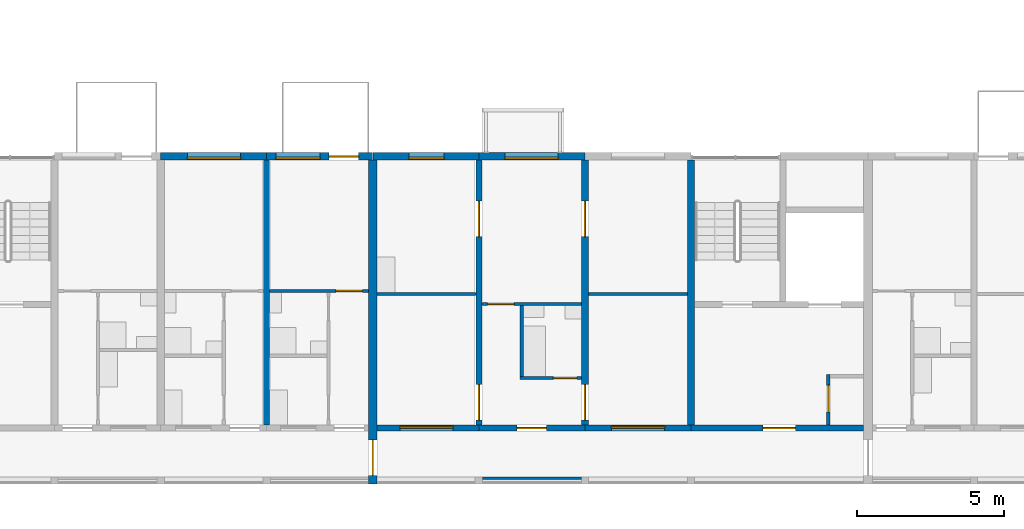
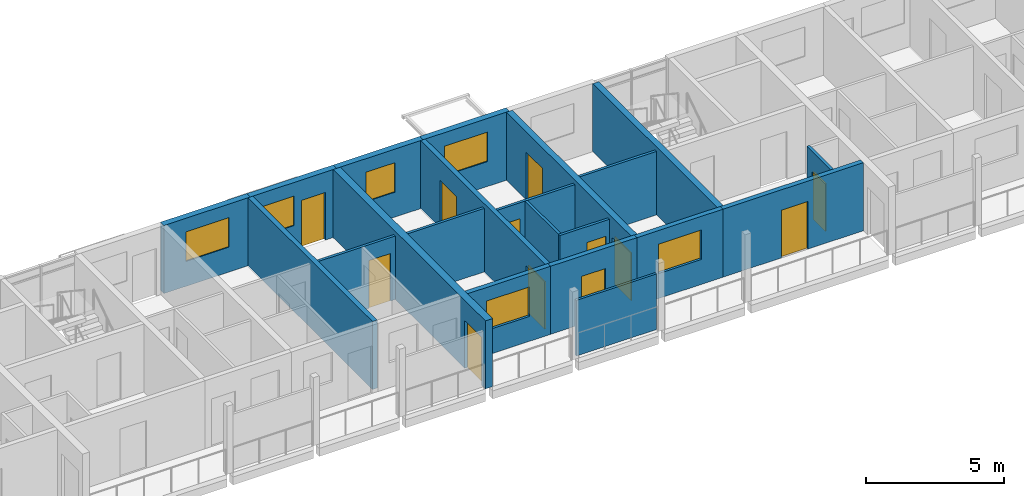
# One storey, part 46 of 99: 21 walls, 12 doors, 6 windows, 18 openings.
"""IFC4 building model written with IfcOpenShell, lengths in metres."""

from ifc_helpers import new_model, si_unit, direction, frame, frame_2d, origin, place, context, subcontext, project, spatial, rectangle, extrude, material, layer, layer_set, type_object, element, fill, save


model = new_model("IFC4")

# Units and contexts
model_context = context("Model", 3, precision=1e-05, world=origin(), true_north=direction((0.0, 1.0)))
body_context = subcontext(model_context, "Body", "Model", "MODEL_VIEW")
ifc_project = project(units=[si_unit("LENGTHUNIT", "METRE"), si_unit("AREAUNIT", "SQUARE_METRE"), si_unit("VOLUMEUNIT", "CUBIC_METRE"), si_unit("PLANEANGLEUNIT", "RADIAN"), si_unit("MASSUNIT", "GRAM", prefix="KILO")], contexts=[model_context])

# Site, building, storey
site_placement = place(None, origin())
site = spatial("IfcSite", under=ifc_project, at=site_placement, CompositionType="ELEMENT")
building_placement = place(site_placement, origin())
building = spatial("IfcBuilding", under=site, at=building_placement, Name="Ridgestep Commons", CompositionType="ELEMENT")
storey_placement = place(building_placement, frame((0.0, 0.0, 15.0)))
storey = spatial("IfcBuildingStorey", under=building, at=storey_placement, Name="L05", CompositionType="ELEMENT", Elevation=15.0)

# Wall
ifc_material_1 = material(Name="Concrete C30/37", Category="concrete")
ifc_layer_1 = layer(ifc_material_1, 0.25)
ifc_layer_set_1 = layer_set([ifc_layer_1], Name="Core cross wall 250")
wall_type_1 = type_object("IfcWallType", Name="Core cross wall 250", PredefinedType="SHEAR", material=ifc_layer_set_1)
wall_1_placement = place(storey_placement, frame((191.199951171875, 13.75, 0.0), z_axis=(0.0, 0.0, 1.0), x_axis=(0.0, 1.0, 0.0)))
element("IfcWall", 1, at=wall_1_placement, inside=storey, type_object=wall_type_1, Name="Cross wall D-05-1912", PredefinedType="SHEAR", context=body_context, shape_type="SweptSolid", body=[
    extrude(rectangle(XDim=9.0, YDim=0.25, at=frame_2d((4.5, 0.0))), origin(), (0.0, 0.0, 1.0), 3.0),
])

# Wall, opening, door
ifc_material_2 = material(Name="Concrete C30/37", Category="concrete")
ifc_layer_2 = layer(ifc_material_2, 0.199951171875)
ifc_layer_set_2 = layer_set([ifc_layer_2], Name="Core south wall 200")
wall_type_2 = type_object("IfcWallType", Name="Core south wall 200", PredefinedType="SHEAR", material=ifc_layer_set_2)
wall_2_placement = place(storey_placement, frame((191.199951171875, 13.64990234375, 0.0), z_axis=(0.0, 0.0, 1.0), x_axis=(1.0, 0.0, 0.0)))
wall_2 = element("IfcWall", 2, at=wall_2_placement, inside=storey, type_object=wall_type_2, Name="Core south wall D3C L05", PredefinedType="SHEAR", context=body_context, shape_type="SweptSolid", body=[
    extrude(rectangle(XDim=5.85009765625, YDim=0.199951171875, at=frame_2d((2.925048828125, 0.0))), origin(), (0.0, 0.0, 1.0), 3.0),
])
opening_1_placement = place(wall_2_placement, frame((2.4375, 0.0, 0.0)))
opening_1 = element("IfcOpeningElement", 3, at=opening_1_placement, cuts=wall_2, Name="Opening D3C/05/1", PredefinedType="OPENING", context=body_context, shape_type="SweptSolid", body=[
    extrude(rectangle(XDim=1.10009765625, YDim=2.10009765625, at=frame_2d((0.550048828125, 1.050048828125))), frame((0.0, 0.10986328125, 0.0), z_axis=(0.0, -1.0, 0.0), x_axis=(1.0, 0.0, 0.0)), (0.0, 0.0, 1.0), 0.219970703125),
])
ifc_material_3 = material(Name="Steel fire door", Category="steel")
door_type_1 = type_object("IfcDoorType", Name="Lobby door 1100 x 2100 FD60", OperationType="NOTDEFINED", PredefinedType="DOOR", material=ifc_material_3)
door_1_placement = place(opening_1_placement, origin())
door_1 = element("IfcDoor", 4, at=door_1_placement, inside=storey, type_object=door_type_1, Name="Lobby door D3C/05/1", OperationType="SINGLE_SWING_LEFT", OverallHeight=2.10009765625, OverallWidth=1.10009765625, PredefinedType="DOOR", context=body_context, shape_type="SweptSolid", body=[
    extrude(rectangle(XDim=1.10009765625, YDim=2.10009765625, at=frame_2d((0.550048828125, 1.050048828125))), frame((0.0, 0.02490234375, 0.0), z_axis=(0.0, -1.0, 0.0), x_axis=(1.0, 0.0, 0.0)), (0.0, 0.0, 1.0), 0.050048828125),
])
fill(opening_1, door_1)

ifc_material_4 = material(Name="Concrete C30/37", Category="concrete")
ifc_layer_3 = layer(ifc_material_4, 0.1201171875)
ifc_layer_set_3 = layer_set([ifc_layer_3], Name="Core wall 120")
wall_type_3 = type_object("IfcWallType", Name="Core wall 120", PredefinedType="SHEAR", material=ifc_layer_set_3)
wall_3_placement = place(storey_placement, frame((195.860107421875, 13.75, 0.0), z_axis=(0.0, 0.0, 1.0), x_axis=(0.0, 1.0, 0.0)))
wall_3 = element("IfcWall", 5, at=wall_3_placement, inside=storey, type_object=wall_type_3, Name="Core riser w wall D3C L05", PredefinedType="SHEAR", context=body_context, shape_type="SweptSolid", body=[
    extrude(rectangle(XDim=1.719970703125, YDim=0.1201171875, at=frame_2d((0.85986328125, 0.0))), origin(), (0.0, 0.0, 1.0), 3.0),
])
opening_2_placement = place(wall_3_placement, frame((0.449951171875, 0.0, 0.0)))
opening_2 = element("IfcOpeningElement", 6, at=opening_2_placement, cuts=wall_3, Name="Opening D3C/05/4", PredefinedType="OPENING", context=body_context, shape_type="SweptSolid", body=[
    extrude(rectangle(XDim=0.89990234375, YDim=2.10009765625, at=frame_2d((0.449951171875, 1.050048828125))), frame((0.0, 0.070068359375, 0.0), z_axis=(0.0, -1.0, 0.0), x_axis=(1.0, 0.0, 0.0)), (0.0, 0.0, 1.0), 0.14013671875),
])
ifc_material_5 = material(Name="Steel fire door", Category="steel")
door_type_2 = type_object("IfcDoorType", Name="Riser door 900 x 2100 FD60", OperationType="NOTDEFINED", PredefinedType="DOOR", material=ifc_material_5)
door_2_placement = place(opening_2_placement, origin())
door_2 = element("IfcDoor", 7, at=door_2_placement, inside=storey, type_object=door_type_2, Name="Riser door D3C/05/4", OperationType="SINGLE_SWING_LEFT", OverallHeight=2.10009765625, OverallWidth=0.89990234375, PredefinedType="DOOR", context=body_context, shape_type="SweptSolid", body=[
    extrude(rectangle(XDim=0.89990234375, YDim=2.10009765625, at=frame_2d((0.449951171875, 1.050048828125))), frame((0.0, 0.02490234375, 0.0), z_axis=(0.0, -1.0, 0.0), x_axis=(1.0, 0.0, 0.0)), (0.0, 0.0, 1.0), 0.050048828125),
])
fill(opening_2, door_2)

# Wall
ifc_material_6 = material(Name="Precast concrete C40/50", Category="concrete")
ifc_layer_4 = layer(ifc_material_6, 0.199951171875)
ifc_layer_set_4 = layer_set([ifc_layer_4], Name="Cross wall 200")
wall_type_4 = type_object("IfcWallType", Name="Cross wall 200", PredefinedType="SHEAR", material=ifc_layer_set_4)
wall_4_placement = place(storey_placement, frame((176.800048828125, 13.75, 0.0), z_axis=(0.0, 0.0, 1.0), x_axis=(0.0, 1.0, 0.0)))
element("IfcWall", 8, at=wall_4_placement, inside=storey, type_object=wall_type_4, Name="Cross wall D-05-1768", PredefinedType="SHEAR", context=body_context, shape_type="SweptSolid", body=[
    extrude(rectangle(XDim=9.0, YDim=0.199951171875, at=frame_2d((4.5, 0.0))), origin(), (0.0, 0.0, 1.0), 3.0),
])

# Wall, openings, doors
wall_5_placement = place(storey_placement, frame((184.0, 13.75, 0.0), z_axis=(0.0, 0.0, 1.0), x_axis=(0.0, 1.0, 0.0)))
wall_5 = element("IfcWall", 9, at=wall_5_placement, inside=storey, type_object=wall_type_4, Name="Cross wall D-05-1840", PredefinedType="SHEAR", context=body_context, shape_type="SweptSolid", body=[
    extrude(rectangle(XDim=9.0, YDim=0.199951171875, at=frame_2d((4.5, 0.0))), origin(), (0.0, 0.0, 1.0), 3.0),
])
opening_3_placement = place(wall_5_placement, frame((0.175048828125, 0.0, 0.0)))
opening_3 = element("IfcOpeningElement", 10, at=opening_3_placement, cuts=wall_5, Name="Opening D3-05a/4", PredefinedType="OPENING", context=body_context, shape_type="SweptSolid", body=[
    extrude(rectangle(XDim=1.199951171875, YDim=2.10009765625, at=frame_2d((0.60009765625, 1.050048828125))), frame((0.0, 0.10986328125, 0.0), z_axis=(0.0, -1.0, 0.0), x_axis=(1.0, 0.0, 0.0)), (0.0, 0.0, 1.0), 0.219970703125),
])
opening_4_placement = place(wall_5_placement, frame((6.39990234375, 0.0, 0.0)))
opening_4 = element("IfcOpeningElement", 11, at=opening_4_placement, cuts=wall_5, Name="Opening D3-05a/5", PredefinedType="OPENING", context=body_context, shape_type="SweptSolid", body=[
    extrude(rectangle(XDim=1.199951171875, YDim=2.10009765625, at=frame_2d((0.60009765625, 1.050048828125))), frame((0.0, 0.10986328125, 0.0), z_axis=(0.0, -1.0, 0.0), x_axis=(1.0, 0.0, 0.0)), (0.0, 0.0, 1.0), 0.219970703125),
])
ifc_material_7 = material(Name="Timber door leaf", Category="wood")
door_type_3 = type_object("IfcDoorType", Name="Double door 1200 x 2100", OperationType="DOUBLE_DOOR_SINGLE_SWING", PredefinedType="DOOR", material=ifc_material_7)
door_3_placement = place(opening_3_placement, origin())
door_3 = element("IfcDoor", 12, at=door_3_placement, inside=storey, type_object=door_type_3, Name="Double door D3-05a/4", OperationType="DOUBLE_DOOR_SINGLE_SWING", OverallHeight=2.10009765625, OverallWidth=1.199951171875, PredefinedType="DOOR", context=body_context, shape_type="SweptSolid", body=[
    extrude(rectangle(XDim=1.199951171875, YDim=2.10009765625, at=frame_2d((0.60009765625, 1.050048828125))), frame((0.0, 0.02490234375, 0.0), z_axis=(0.0, -1.0, 0.0), x_axis=(1.0, 0.0, 0.0)), (0.0, 0.0, 1.0), 0.050048828125),
])
fill(opening_3, door_3)
door_4_placement = place(opening_4_placement, origin())
door_4 = element("IfcDoor", 13, at=door_4_placement, inside=storey, type_object=door_type_3, Name="Double door D3-05a/5", OperationType="DOUBLE_DOOR_SINGLE_SWING", OverallHeight=2.10009765625, OverallWidth=1.199951171875, PredefinedType="DOOR", context=body_context, shape_type="SweptSolid", body=[
    extrude(rectangle(XDim=1.199951171875, YDim=2.10009765625, at=frame_2d((0.60009765625, 1.050048828125))), frame((0.0, 0.02490234375, 0.0), z_axis=(0.0, -1.0, 0.0), x_axis=(1.0, 0.0, 0.0)), (0.0, 0.0, 1.0), 0.050048828125),
])
fill(opening_4, door_4)

ifc_material_8 = material(Name="Precast concrete C40/50", Category="concrete")
ifc_layer_5 = layer(ifc_material_8, 0.25)
ifc_layer_set_5 = layer_set([ifc_layer_5], Name="Cross wall 250")
wall_type_5 = type_object("IfcWallType", Name="Cross wall 250", PredefinedType="SHEAR", material=ifc_layer_set_5)
wall_6_placement = place(storey_placement, frame((187.60009765625, 13.75, 0.0), z_axis=(0.0, 0.0, 1.0), x_axis=(0.0, 1.0, 0.0)))
wall_6 = element("IfcWall", 14, at=wall_6_placement, inside=storey, type_object=wall_type_5, Name="Cross wall D-05-1876", PredefinedType="SHEAR", context=body_context, shape_type="SweptSolid", body=[
    extrude(rectangle(XDim=9.0, YDim=0.25, at=frame_2d((4.5, 0.0))), origin(), (0.0, 0.0, 1.0), 3.0),
])
opening_5_placement = place(wall_6_placement, frame((0.175048828125, 0.0, 0.0)))
opening_5 = element("IfcOpeningElement", 15, at=opening_5_placement, cuts=wall_6, Name="Opening D3-05a/6", PredefinedType="OPENING", context=body_context, shape_type="SweptSolid", body=[
    extrude(rectangle(XDim=1.199951171875, YDim=2.10009765625, at=frame_2d((0.60009765625, 1.050048828125))), frame((0.0, 0.135009765625, 0.0), z_axis=(0.0, -1.0, 0.0), x_axis=(1.0, 0.0, 0.0)), (0.0, 0.0, 1.0), 0.27001953125),
])
opening_6_placement = place(wall_6_placement, frame((6.39990234375, 0.0, 0.0)))
opening_6 = element("IfcOpeningElement", 16, at=opening_6_placement, cuts=wall_6, Name="Opening D3-05a/7", PredefinedType="OPENING", context=body_context, shape_type="SweptSolid", body=[
    extrude(rectangle(XDim=1.199951171875, YDim=2.10009765625, at=frame_2d((0.60009765625, 1.050048828125))), frame((0.0, 0.135009765625, 0.0), z_axis=(0.0, -1.0, 0.0), x_axis=(1.0, 0.0, 0.0)), (0.0, 0.0, 1.0), 0.27001953125),
])
door_5_placement = place(opening_5_placement, origin())
door_5 = element("IfcDoor", 17, at=door_5_placement, inside=storey, type_object=door_type_3, Name="Double door D3-05a/6", OperationType="DOUBLE_DOOR_SINGLE_SWING", OverallHeight=2.10009765625, OverallWidth=1.199951171875, PredefinedType="DOOR", context=body_context, shape_type="SweptSolid", body=[
    extrude(rectangle(XDim=1.199951171875, YDim=2.10009765625, at=frame_2d((0.60009765625, 1.050048828125))), frame((0.0, 0.02490234375, 0.0), z_axis=(0.0, -1.0, 0.0), x_axis=(1.0, 0.0, 0.0)), (0.0, 0.0, 1.0), 0.050048828125),
])
fill(opening_5, door_5)
door_6_placement = place(opening_6_placement, origin())
door_6 = element("IfcDoor", 18, at=door_6_placement, inside=storey, type_object=door_type_3, Name="Double door D3-05a/7", OperationType="DOUBLE_DOOR_SINGLE_SWING", OverallHeight=2.10009765625, OverallWidth=1.199951171875, PredefinedType="DOOR", context=body_context, shape_type="SweptSolid", body=[
    extrude(rectangle(XDim=1.199951171875, YDim=2.10009765625, at=frame_2d((0.60009765625, 1.050048828125))), frame((0.0, 0.02490234375, 0.0), z_axis=(0.0, -1.0, 0.0), x_axis=(1.0, 0.0, 0.0)), (0.0, 0.0, 1.0), 0.050048828125),
])
fill(opening_6, door_6)

# Wall, opening, door
ifc_material_9 = material(Name="Precast concrete C40/50", Category="concrete")
ifc_layer_6 = layer(ifc_material_9, 0.300048828125)
ifc_layer_set_6 = layer_set([ifc_layer_6], Name="Division wall 300")
wall_type_6 = type_object("IfcWallType", Name="Division wall 300", PredefinedType="SHEAR", material=ifc_layer_set_6)
wall_7_placement = place(storey_placement, frame((180.39990234375, 11.75, 0.0), z_axis=(0.0, 0.0, 1.0), x_axis=(0.0, 1.0, 0.0)))
wall_7 = element("IfcWall", 19, at=wall_7_placement, inside=storey, type_object=wall_type_6, Name="Cross wall D-05-1804", PredefinedType="SHEAR", context=body_context, shape_type="SweptSolid", body=[
    extrude(rectangle(XDim=11.0, YDim=0.300048828125, at=frame_2d((5.5, 0.0))), origin(), (0.0, 0.0, 1.0), 3.0),
])
opening_7_placement = place(wall_7_placement, frame((0.300048828125, 0.0, 0.0)))
opening_7 = element("IfcOpeningElement", 20, at=opening_7_placement, cuts=wall_7, Name="Opening D/05/G1804", PredefinedType="OPENING", context=body_context, shape_type="SweptSolid", body=[
    extrude(rectangle(XDim=1.199951171875, YDim=2.10009765625, at=frame_2d((0.60009765625, 1.050048828125))), frame((0.0, 0.159912109375, 0.0), z_axis=(0.0, -1.0, 0.0), x_axis=(1.0, 0.0, 0.0)), (0.0, 0.0, 1.0), 0.320068359375),
])
ifc_material_10 = material(Name="Steel fire door", Category="steel")
door_type_4 = type_object("IfcDoorType", Name="Division fire door 1200 x 2100 EI 240", OperationType="DOUBLE_DOOR_SINGLE_SWING", PredefinedType="DOOR", material=ifc_material_10)
door_7_placement = place(opening_7_placement, origin())
door_7 = element("IfcDoor", 21, at=door_7_placement, inside=storey, type_object=door_type_4, Name="Division fire door D/05/G1804", OperationType="DOUBLE_DOOR_SINGLE_SWING", OverallHeight=2.10009765625, OverallWidth=1.199951171875, PredefinedType="DOOR", context=body_context, shape_type="SweptSolid", body=[
    extrude(rectangle(XDim=1.199951171875, YDim=2.10009765625, at=frame_2d((0.60009765625, 1.050048828125))), frame((0.0, 0.02490234375, 0.0), z_axis=(0.0, -1.0, 0.0), x_axis=(1.0, 0.0, 0.0)), (0.0, 0.0, 1.0), 0.050048828125),
])
fill(opening_7, door_7)

# Wall, opening, window
ifc_material_11 = material(Name="Precast concrete C40/50", Category="concrete")
ifc_layer_7 = layer(ifc_material_11, 0.25)
ifc_layer_set_7 = layer_set([ifc_layer_7], Name="North facade panel 250")
wall_type_7 = type_object("IfcWallType", Name="North facade panel 250", PredefinedType="SOLIDWALL", material=ifc_layer_set_7)
wall_8_placement = place(storey_placement, frame((173.199951171875, 22.875, 0.0), z_axis=(0.0, 0.0, 1.0), x_axis=(1.0, 0.0, 0.0)))
wall_8 = element("IfcWall", 22, at=wall_8_placement, inside=storey, type_object=wall_type_7, Name="North panel D2T2 L05", PredefinedType="SOLIDWALL", context=body_context, shape_type="SweptSolid", body=[
    extrude(rectangle(XDim=3.60009765625, YDim=0.25, at=frame_2d((1.800048828125, 0.0))), origin(), (0.0, 0.0, 1.0), 3.0),
])
opening_8_placement = place(wall_8_placement, frame((0.91259765625, 0.0, 1.10009765625)))
opening_8 = element("IfcOpeningElement", 23, at=opening_8_placement, cuts=wall_8, Name="Opening W18", PredefinedType="OPENING", context=body_context, shape_type="SweptSolid", body=[
    extrude(rectangle(XDim=1.800048828125, YDim=1.300048828125, at=frame_2d((0.89990234375, 0.64990234375))), frame((0.0, 0.135009765625, 0.0), z_axis=(0.0, -1.0, 0.0), x_axis=(1.0, 0.0, 0.0)), (0.0, 0.0, 1.0), 0.27001953125),
])
ifc_material_12 = material(Name="Aluminium 6063-T6 and glass", Category="aluminium")
window_type_1 = type_object("IfcWindowType", Name="Flat window 1800 x 1300", PartitioningType="DOUBLE_PANEL_VERTICAL", PredefinedType="WINDOW", material=ifc_material_12)
window_1_placement = place(opening_8_placement, origin())
window_1 = element("IfcWindow", 24, at=window_1_placement, inside=storey, type_object=window_type_1, Name="Window D2-05b 2", OverallHeight=1.300048828125, OverallWidth=1.800048828125, PartitioningType="SINGLE_PANEL", PredefinedType="WINDOW", context=body_context, shape_type="SweptSolid", body=[
    extrude(rectangle(XDim=1.800048828125, YDim=1.300048828125, at=frame_2d((0.89990234375, 0.64990234375))), frame((0.0, -0.02490234375, 0.0), z_axis=(0.0, -1.0, 0.0), x_axis=(1.0, 0.0, 0.0)), (0.0, 0.0, 1.0), 0.06005859375),
])
fill(opening_8, window_1)

# Wall, openings, door, window
wall_9_placement = place(storey_placement, frame((176.800048828125, 22.875, 0.0), z_axis=(0.0, 0.0, 1.0), x_axis=(1.0, 0.0, 0.0)))
wall_9 = element("IfcWall", 25, at=wall_9_placement, inside=storey, type_object=wall_type_7, Name="North panel D2T1 L05", PredefinedType="SOLIDWALL", context=body_context, shape_type="SweptSolid", body=[
    extrude(rectangle(XDim=3.599853515625, YDim=0.25, at=frame_2d((1.7998046875, 0.0))), origin(), (0.0, 0.0, 1.0), 3.0),
])
opening_9_placement = place(wall_9_placement, frame((0.3115234375, 0.0, 1.10009765625)))
opening_9 = element("IfcOpeningElement", 26, at=opening_9_placement, cuts=wall_9, Name="Opening W14", PredefinedType="OPENING", context=body_context, shape_type="SweptSolid", body=[
    extrude(rectangle(XDim=1.5, YDim=1.300048828125, at=frame_2d((0.75, 0.64990234375))), frame((0.0, 0.135009765625, 0.0), z_axis=(0.0, -1.0, 0.0), x_axis=(1.0, 0.0, 0.0)), (0.0, 0.0, 1.0), 0.27001953125),
])
opening_10_placement = place(wall_9_placement, frame((2.123046875, 0.0, 0.0)))
opening_10 = element("IfcOpeningElement", 27, at=opening_10_placement, cuts=wall_9, Name="Opening D2-05a/5", PredefinedType="OPENING", context=body_context, shape_type="SweptSolid", body=[
    extrude(rectangle(XDim=1.0, YDim=2.10009765625, at=frame_2d((0.5, 1.050048828125))), frame((0.0, 0.135009765625, 0.0), z_axis=(0.0, -1.0, 0.0), x_axis=(1.0, 0.0, 0.0)), (0.0, 0.0, 1.0), 0.27001953125),
])
ifc_material_13 = material(Name="Aluminium and glass", Category="aluminium")
door_type_5 = type_object("IfcDoorType", Name="Balcony door 1000 x 2100", OperationType="NOTDEFINED", PredefinedType="DOOR", material=ifc_material_13)
door_8_placement = place(opening_10_placement, origin())
door_8 = element("IfcDoor", 28, at=door_8_placement, inside=storey, type_object=door_type_5, Name="Balcony door D2-05a/5", OperationType="SINGLE_SWING_LEFT", OverallHeight=2.10009765625, OverallWidth=1.0, PredefinedType="DOOR", context=body_context, shape_type="SweptSolid", body=[
    extrude(rectangle(XDim=1.0, YDim=2.10009765625, at=frame_2d((0.5, 1.050048828125))), frame((0.0, 0.02490234375, 0.0), z_axis=(0.0, -1.0, 0.0), x_axis=(1.0, 0.0, 0.0)), (0.0, 0.0, 1.0), 0.050048828125),
])
fill(opening_10, door_8)
ifc_material_14 = material(Name="Aluminium 6063-T6 and glass", Category="aluminium")
window_type_2 = type_object("IfcWindowType", Name="Flat window 1500 x 1300", PartitioningType="DOUBLE_PANEL_VERTICAL", PredefinedType="WINDOW", material=ifc_material_14)
window_2_placement = place(opening_9_placement, origin())
window_2 = element("IfcWindow", 29, at=window_2_placement, inside=storey, type_object=window_type_2, Name="Window D2-05a 2", OverallHeight=1.300048828125, OverallWidth=1.5, PartitioningType="SINGLE_PANEL", PredefinedType="WINDOW", context=body_context, shape_type="SweptSolid", body=[
    extrude(rectangle(XDim=1.5, YDim=1.300048828125, at=frame_2d((0.75, 0.64990234375))), frame((0.0, -0.02490234375, 0.0), z_axis=(0.0, -1.0, 0.0), x_axis=(1.0, 0.0, 0.0)), (0.0, 0.0, 1.0), 0.06005859375),
])
fill(opening_9, window_2)

# Wall, opening, window
wall_10_placement = place(storey_placement, frame((180.39990234375, 22.875, 0.0), z_axis=(0.0, 0.0, 1.0), x_axis=(1.0, 0.0, 0.0)))
wall_10 = element("IfcWall", 30, at=wall_10_placement, inside=storey, type_object=wall_type_7, Name="North panel D3T1 L05", PredefinedType="SOLIDWALL", context=body_context, shape_type="SweptSolid", body=[
    extrude(rectangle(XDim=3.60009765625, YDim=0.25, at=frame_2d((1.800048828125, 0.0))), origin(), (0.0, 0.0, 1.0), 3.0),
])
opening_11_placement = place(wall_10_placement, frame((1.22509765625, 0.0, 1.10009765625)))
opening_11 = element("IfcOpeningElement", 31, at=opening_11_placement, cuts=wall_10, Name="Opening W08", PredefinedType="OPENING", context=body_context, shape_type="SweptSolid", body=[
    extrude(rectangle(XDim=1.199951171875, YDim=1.300048828125, at=frame_2d((0.60009765625, 0.64990234375))), frame((0.0, 0.135009765625, 0.0), z_axis=(0.0, -1.0, 0.0), x_axis=(1.0, 0.0, 0.0)), (0.0, 0.0, 1.0), 0.27001953125),
])
ifc_material_15 = material(Name="Aluminium 6063-T6 and glass", Category="aluminium")
window_type_3 = type_object("IfcWindowType", Name="Flat window 1200 x 1300", PartitioningType="SINGLE_PANEL", PredefinedType="WINDOW", material=ifc_material_15)
window_3_placement = place(opening_11_placement, origin())
window_3 = element("IfcWindow", 32, at=window_3_placement, inside=storey, type_object=window_type_3, Name="Window D3-05a 2", OverallHeight=1.300048828125, OverallWidth=1.199951171875, PartitioningType="SINGLE_PANEL", PredefinedType="WINDOW", context=body_context, shape_type="SweptSolid", body=[
    extrude(rectangle(XDim=1.199951171875, YDim=1.300048828125, at=frame_2d((0.60009765625, 0.64990234375))), frame((0.0, -0.02490234375, 0.0), z_axis=(0.0, -1.0, 0.0), x_axis=(1.0, 0.0, 0.0)), (0.0, 0.0, 1.0), 0.06005859375),
])
fill(opening_11, window_3)

wall_11_placement = place(storey_placement, frame((184.0, 22.875, 0.0), z_axis=(0.0, 0.0, 1.0), x_axis=(1.0, 0.0, 0.0)))
wall_11 = element("IfcWall", 33, at=wall_11_placement, inside=storey, type_object=wall_type_7, Name="North panel D3T2 L05", PredefinedType="SOLIDWALL", context=body_context, shape_type="SweptSolid", body=[
    extrude(rectangle(XDim=3.60009765625, YDim=0.25, at=frame_2d((1.800048828125, 0.0))), origin(), (0.0, 0.0, 1.0), 3.0),
])
opening_12_placement = place(wall_11_placement, frame((0.887451171875, 0.0, 1.10009765625)))
opening_12 = element("IfcOpeningElement", 34, at=opening_12_placement, cuts=wall_11, Name="Opening W18", PredefinedType="OPENING", context=body_context, shape_type="SweptSolid", body=[
    extrude(rectangle(XDim=1.800048828125, YDim=1.300048828125, at=frame_2d((0.89990234375, 0.64990234375))), frame((0.0, 0.135009765625, 0.0), z_axis=(0.0, -1.0, 0.0), x_axis=(1.0, 0.0, 0.0)), (0.0, 0.0, 1.0), 0.27001953125),
])
window_4_placement = place(opening_12_placement, origin())
window_4 = element("IfcWindow", 35, at=window_4_placement, inside=storey, type_object=window_type_1, Name="Window D3-05a 5", OverallHeight=1.300048828125, OverallWidth=1.800048828125, PartitioningType="SINGLE_PANEL", PredefinedType="WINDOW", context=body_context, shape_type="SweptSolid", body=[
    extrude(rectangle(XDim=1.800048828125, YDim=1.300048828125, at=frame_2d((0.89990234375, 0.64990234375))), frame((0.0, -0.02490234375, 0.0), z_axis=(0.0, -1.0, 0.0), x_axis=(1.0, 0.0, 0.0)), (0.0, 0.0, 1.0), 0.06005859375),
])
fill(opening_12, window_4)

# Wall, opening, door
ifc_material_16 = material(Name="Common brick 110 mm", Category="masonry")
ifc_layer_8 = layer(ifc_material_16, 0.110107421875)
ifc_layer_set_8 = layer_set([ifc_layer_8], Name="Partition 110")
wall_type_8 = type_object("IfcWallType", Name="Partition 110", PredefinedType="PARTITIONING", material=ifc_layer_set_8)
wall_12_placement = place(storey_placement, frame((176.89990234375, 18.304931640625, 0.0), z_axis=(0.0, 0.0, 1.0), x_axis=(1.0, 0.0, 0.0)))
wall_12 = element("IfcWall", 36, at=wall_12_placement, inside=storey, type_object=wall_type_8, Name="Partition D2-05a", PredefinedType="PARTITIONING", context=body_context, shape_type="SweptSolid", body=[
    extrude(rectangle(XDim=3.35009765625, YDim=0.110107421875, at=frame_2d((1.675048828125, 0.0))), origin(), (0.0, 0.0, 1.0), 2.800048828125),
])
opening_13_placement = place(wall_12_placement, frame((2.25, 0.0, 0.0)))
opening_13 = element("IfcOpeningElement", 37, at=opening_13_placement, cuts=wall_12, Name="Opening D2-05a/4", PredefinedType="OPENING", context=body_context, shape_type="SweptSolid", body=[
    extrude(rectangle(XDim=0.89990234375, YDim=2.10009765625, at=frame_2d((0.449951171875, 1.050048828125))), frame((0.0, 0.06494140625, 0.0), z_axis=(0.0, -1.0, 0.0), x_axis=(1.0, 0.0, 0.0)), (0.0, 0.0, 1.0), 0.130126953125),
])
ifc_material_17 = material(Name="Timber door leaf", Category="wood")
door_type_6 = type_object("IfcDoorType", Name="Internal door 900 x 2100", OperationType="NOTDEFINED", PredefinedType="DOOR", material=ifc_material_17)
door_9_placement = place(opening_13_placement, origin())
door_9 = element("IfcDoor", 38, at=door_9_placement, inside=storey, type_object=door_type_6, Name="Internal door D2-05a/4", OperationType="SINGLE_SWING_LEFT", OverallHeight=2.10009765625, OverallWidth=0.89990234375, PredefinedType="DOOR", context=body_context, shape_type="SweptSolid", body=[
    extrude(rectangle(XDim=0.89990234375, YDim=2.10009765625, at=frame_2d((0.449951171875, 1.050048828125))), frame((0.0, 0.02490234375, 0.0), z_axis=(0.0, -1.0, 0.0), x_axis=(1.0, 0.0, 0.0)), (0.0, 0.0, 1.0), 0.050048828125),
])
fill(opening_13, door_9)

wall_13_placement = place(storey_placement, frame((185.39990234375, 15.35498046875, 0.0), z_axis=(0.0, 0.0, 1.0), x_axis=(1.0, 0.0, 0.0)))
wall_13 = element("IfcWall", 39, at=wall_13_placement, inside=storey, type_object=wall_type_8, Name="Partition D3-05a", PredefinedType="PARTITIONING", context=body_context, shape_type="SweptSolid", body=[
    extrude(rectangle(XDim=2.0751953125, YDim=0.110107421875, at=frame_2d((1.03759765625, 0.0))), origin(), (0.0, 0.0, 1.0), 2.800048828125),
])
opening_14_placement = place(wall_13_placement, frame((1.125, 0.0, 0.0)))
opening_14 = element("IfcOpeningElement", 40, at=opening_14_placement, cuts=wall_13, Name="Opening D3-05a/2", PredefinedType="OPENING", context=body_context, shape_type="SweptSolid", body=[
    extrude(rectangle(XDim=0.800048828125, YDim=2.10009765625, at=frame_2d((0.39990234375, 1.050048828125))), frame((0.0, 0.06494140625, 0.0), z_axis=(0.0, -1.0, 0.0), x_axis=(1.0, 0.0, 0.0)), (0.0, 0.0, 1.0), 0.130126953125),
])
ifc_material_18 = material(Name="Timber door leaf", Category="wood")
door_type_7 = type_object("IfcDoorType", Name="Internal door 800 x 2100", OperationType="NOTDEFINED", PredefinedType="DOOR", material=ifc_material_18)
door_10_placement = place(opening_14_placement, origin())
door_10 = element("IfcDoor", 41, at=door_10_placement, inside=storey, type_object=door_type_7, Name="Internal door D3-05a/2", OperationType="SINGLE_SWING_RIGHT", OverallHeight=2.10009765625, OverallWidth=0.800048828125, PredefinedType="DOOR", context=body_context, shape_type="SweptSolid", body=[
    extrude(rectangle(XDim=0.800048828125, YDim=2.10009765625, at=frame_2d((0.39990234375, 1.050048828125))), frame((0.0, 0.02490234375, 0.0), z_axis=(0.0, -1.0, 0.0), x_axis=(1.0, 0.0, 0.0)), (0.0, 0.0, 1.0), 0.050048828125),
])
fill(opening_14, door_10)

# Wall
wall_14_placement = place(storey_placement, frame((185.455078125, 15.409912109375, 0.0), z_axis=(0.0, 0.0, 1.0), x_axis=(0.0, 1.0, 0.0)))
element("IfcWall", 42, at=wall_14_placement, inside=storey, type_object=wall_type_8, Name="Partition D3-05a", PredefinedType="PARTITIONING", context=body_context, shape_type="SweptSolid", body=[
    extrude(rectangle(XDim=2.400146484375, YDim=0.110107421875, at=frame_2d((1.2001953125, 0.0))), origin(), (0.0, 0.0, 1.0), 2.800048828125),
])

# Wall, opening, door
wall_15_placement = place(storey_placement, frame((184.10009765625, 17.864990234375, 0.0), z_axis=(0.0, 0.0, 1.0), x_axis=(1.0, 0.0, 0.0)))
wall_15 = element("IfcWall", 43, at=wall_15_placement, inside=storey, type_object=wall_type_8, Name="Partition D3-05a", PredefinedType="PARTITIONING", context=body_context, shape_type="SweptSolid", body=[
    extrude(rectangle(XDim=3.375, YDim=0.110107421875, at=frame_2d((1.6875, 0.0))), origin(), (0.0, 0.0, 1.0), 2.800048828125),
])
opening_15_placement = place(wall_15_placement, frame((0.199951171875, 0.0, 0.0)))
opening_15 = element("IfcOpeningElement", 44, at=opening_15_placement, cuts=wall_15, Name="Opening D3-05a/3", PredefinedType="OPENING", context=body_context, shape_type="SweptSolid", body=[
    extrude(rectangle(XDim=0.89990234375, YDim=2.10009765625, at=frame_2d((0.449951171875, 1.050048828125))), frame((0.0, 0.06494140625, 0.0), z_axis=(0.0, -1.0, 0.0), x_axis=(1.0, 0.0, 0.0)), (0.0, 0.0, 1.0), 0.130126953125),
])
door_11_placement = place(opening_15_placement, origin())
door_11 = element("IfcDoor", 45, at=door_11_placement, inside=storey, type_object=door_type_6, Name="Internal door D3-05a/3", OperationType="SINGLE_SWING_LEFT", OverallHeight=2.10009765625, OverallWidth=0.89990234375, PredefinedType="DOOR", context=body_context, shape_type="SweptSolid", body=[
    extrude(rectangle(XDim=0.89990234375, YDim=2.10009765625, at=frame_2d((0.449951171875, 1.050048828125))), frame((0.0, 0.02490234375, 0.0), z_axis=(0.0, -1.0, 0.0), x_axis=(1.0, 0.0, 0.0)), (0.0, 0.0, 1.0), 0.050048828125),
])
fill(opening_15, door_11)

# Walls
for number, where, z_axis, x_axis, name in (
    (46, (180.550048828125, 18.205078125, 0.0), (0.0, 0.0, 1.0), (1.0, 0.0, 0.0), "Partition D3-05a"),
    (47, (187.72509765625, 18.205078125, 0.0), (0.0, 0.0, 1.0), (1.0, 0.0, 0.0), "Partition D3-05a"),
):
    element("IfcWall", number, at=place(storey_placement, frame(where, z_axis=z_axis, x_axis=x_axis)), inside=storey, type_object=wall_type_8, Name=name, PredefinedType="PARTITIONING", context=body_context, shape_type="SweptSolid", body=[
        extrude(rectangle(XDim=3.349853515625, YDim=0.110107421875, at=frame_2d((1.6748046875, 0.0))), origin(), (0.0, 0.0, 1.0), 2.800048828125),
    ])
ifc_material_19 = material(Name="Precast concrete C30/37", Category="concrete")
ifc_layer_9 = layer(ifc_material_19, 0.10009765625)
ifc_layer_set_9 = layer_set([ifc_layer_9], Name="Perforated gallery screen 3350 x 2450 x 100")
wall_type_9 = type_object("IfcWallType", Name="Perforated gallery screen 3350 x 2450 x 100", PredefinedType="SOLIDWALL", material=ifc_layer_set_9)
wall_16_placement = place(storey_placement, frame((184.125, 11.949951171875, 0.0), z_axis=(0.0, 0.0, 1.0), x_axis=(1.0, 0.0, 0.0)))
element("IfcWall", 48, at=wall_16_placement, inside=storey, type_object=wall_type_9, Name="Gallery screen D3T2 05", PredefinedType="SOLIDWALL", context=body_context, shape_type="SweptSolid", body=[
    extrude(rectangle(XDim=3.35009765625, YDim=0.10009765625, at=frame_2d((1.675048828125, 0.0))), origin(), (0.0, 0.0, 1.0), 2.449951171875),
])

# Wall, opening, window
ifc_material_20 = material(Name="Precast concrete C40/50", Category="concrete")
ifc_layer_10 = layer(ifc_material_20, 0.199951171875)
ifc_layer_set_10 = layer_set([ifc_layer_10], Name="South facade panel 200")
wall_type_10 = type_object("IfcWallType", Name="South facade panel 200", PredefinedType="SOLIDWALL", material=ifc_layer_set_10)
wall_17_placement = place(storey_placement, frame((180.550048828125, 13.64990234375, 0.0), z_axis=(0.0, 0.0, 1.0), x_axis=(1.0, 0.0, 0.0)))
wall_17 = element("IfcWall", 49, at=wall_17_placement, inside=storey, type_object=wall_type_10, Name="South panel D3T1 L05", PredefinedType="SOLIDWALL", context=body_context, shape_type="SweptSolid", body=[
    extrude(rectangle(XDim=3.449951171875, YDim=0.199951171875, at=frame_2d((1.72509765625, 0.0))), origin(), (0.0, 0.0, 1.0), 3.0),
])
opening_16_placement = place(wall_17_placement, frame((0.77490234375, 0.0, 1.10009765625)))
opening_16 = element("IfcOpeningElement", 50, at=opening_16_placement, cuts=wall_17, Name="Opening W18", PredefinedType="OPENING", context=body_context, shape_type="SweptSolid", body=[
    extrude(rectangle(XDim=1.800048828125, YDim=1.300048828125, at=frame_2d((0.89990234375, 0.64990234375))), frame((0.0, 0.10986328125, 0.0), z_axis=(0.0, -1.0, 0.0), x_axis=(1.0, 0.0, 0.0)), (0.0, 0.0, 1.0), 0.219970703125),
])
window_5_placement = place(opening_16_placement, origin())
window_5 = element("IfcWindow", 51, at=window_5_placement, inside=storey, type_object=window_type_1, Name="Window D3-05a 1", OverallHeight=1.300048828125, OverallWidth=1.800048828125, PartitioningType="SINGLE_PANEL", PredefinedType="WINDOW", context=body_context, shape_type="SweptSolid", body=[
    extrude(rectangle(XDim=1.800048828125, YDim=1.300048828125, at=frame_2d((0.89990234375, 0.64990234375))), frame((0.0, 0.06005859375, 0.0), z_axis=(0.0, -1.0, 0.0), x_axis=(1.0, 0.0, 0.0)), (0.0, 0.0, 1.0), 0.06005859375),
])
fill(opening_16, window_5)

# Wall, opening, door
wall_18_placement = place(storey_placement, frame((184.0, 13.64990234375, 0.0), z_axis=(0.0, 0.0, 1.0), x_axis=(1.0, 0.0, 0.0)))
wall_18 = element("IfcWall", 52, at=wall_18_placement, inside=storey, type_object=wall_type_10, Name="South panel D3T2 L05", PredefinedType="SOLIDWALL", context=body_context, shape_type="SweptSolid", body=[
    extrude(rectangle(XDim=3.60009765625, YDim=0.199951171875, at=frame_2d((1.800048828125, 0.0))), origin(), (0.0, 0.0, 1.0), 3.0),
])
opening_17_placement = place(wall_18_placement, frame((1.28759765625, 0.0, 0.0)))
opening_17 = element("IfcOpeningElement", 53, at=opening_17_placement, cuts=wall_18, Name="Opening D3-05a/1", PredefinedType="OPENING", context=body_context, shape_type="SweptSolid", body=[
    extrude(rectangle(XDim=1.0, YDim=2.10009765625, at=frame_2d((0.5, 1.050048828125))), frame((0.0, 0.10986328125, 0.0), z_axis=(0.0, -1.0, 0.0), x_axis=(1.0, 0.0, 0.0)), (0.0, 0.0, 1.0), 0.219970703125),
])
ifc_material_21 = material(Name="Timber door leaf", Category="wood")
door_type_8 = type_object("IfcDoorType", Name="Flat entrance door 1000 x 2100 FD30S", OperationType="NOTDEFINED", PredefinedType="DOOR", material=ifc_material_21)
door_12_placement = place(opening_17_placement, origin())
door_12 = element("IfcDoor", 54, at=door_12_placement, inside=storey, type_object=door_type_8, Name="Flat entrance door D3-05a/1", OperationType="SINGLE_SWING_LEFT", OverallHeight=2.10009765625, OverallWidth=1.0, PredefinedType="DOOR", context=body_context, shape_type="SweptSolid", body=[
    extrude(rectangle(XDim=1.0, YDim=2.10009765625, at=frame_2d((0.5, 1.050048828125))), frame((0.0, 0.02490234375, 0.0), z_axis=(0.0, -1.0, 0.0), x_axis=(1.0, 0.0, 0.0)), (0.0, 0.0, 1.0), 0.050048828125),
])
fill(opening_17, door_12)

# Wall, opening, window
wall_19_placement = place(storey_placement, frame((187.60009765625, 13.64990234375, 0.0), z_axis=(0.0, 0.0, 1.0), x_axis=(1.0, 0.0, 0.0)))
wall_19 = element("IfcWall", 55, at=wall_19_placement, inside=storey, type_object=wall_type_10, Name="South panel D3T3 L05", PredefinedType="SOLIDWALL", context=body_context, shape_type="SweptSolid", body=[
    extrude(rectangle(XDim=3.599853515625, YDim=0.199951171875, at=frame_2d((1.7998046875, 0.0))), origin(), (0.0, 0.0, 1.0), 3.0),
])
opening_18_placement = place(wall_19_placement, frame((0.89990234375, 0.0, 1.10009765625)))
opening_18 = element("IfcOpeningElement", 56, at=opening_18_placement, cuts=wall_19, Name="Opening W18", PredefinedType="OPENING", context=body_context, shape_type="SweptSolid", body=[
    extrude(rectangle(XDim=1.800048828125, YDim=1.300048828125, at=frame_2d((0.89990234375, 0.64990234375))), frame((0.0, 0.10986328125, 0.0), z_axis=(0.0, -1.0, 0.0), x_axis=(1.0, 0.0, 0.0)), (0.0, 0.0, 1.0), 0.219970703125),
])
window_6_placement = place(opening_18_placement, origin())
window_6 = element("IfcWindow", 57, at=window_6_placement, inside=storey, type_object=window_type_1, Name="Window D3-05a 3", OverallHeight=1.300048828125, OverallWidth=1.800048828125, PartitioningType="SINGLE_PANEL", PredefinedType="WINDOW", context=body_context, shape_type="SweptSolid", body=[
    extrude(rectangle(XDim=1.800048828125, YDim=1.300048828125, at=frame_2d((0.89990234375, 0.64990234375))), frame((0.0, 0.06005859375, 0.0), z_axis=(0.0, -1.0, 0.0), x_axis=(1.0, 0.0, 0.0)), (0.0, 0.0, 1.0), 0.06005859375),
])
fill(opening_18, window_6)

save(model, "model.ifc")
